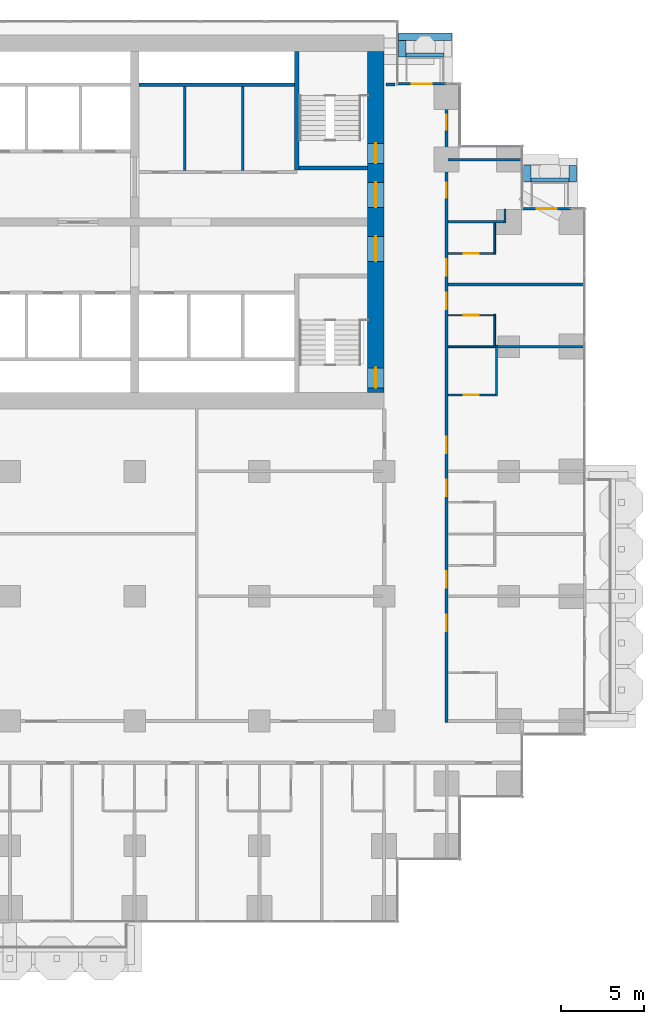
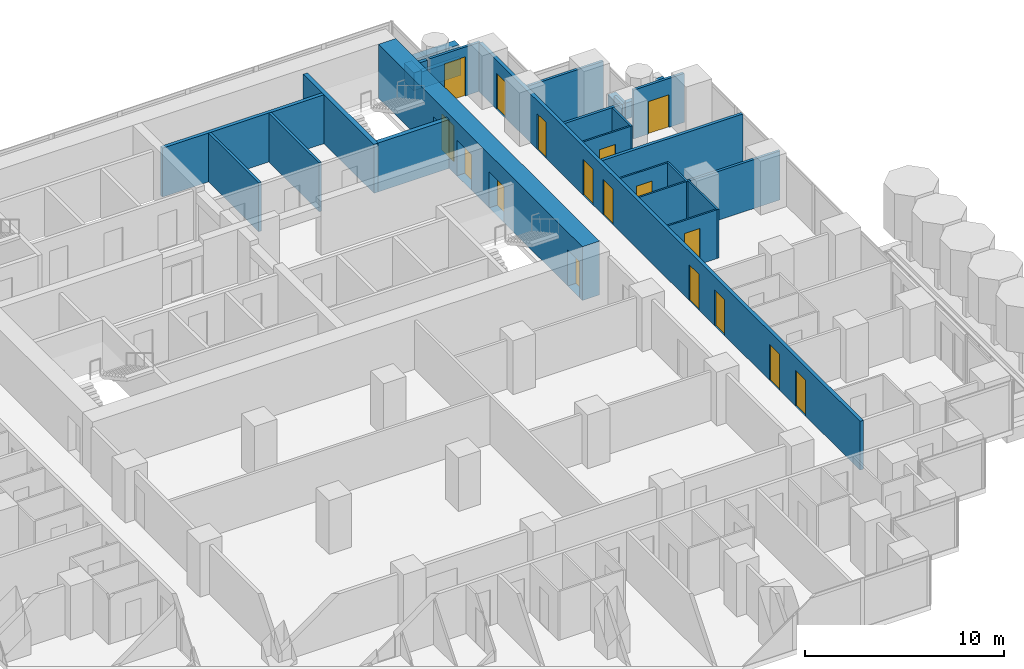
# One storey, part 15 of 19: 28 walls, 17 doors, 17 openings.
"""IFC4 building model written with IfcOpenShell, lengths in metres."""

from ifc_helpers import new_model, si_unit, direction, frame, frame_2d, origin, place, context, subcontext, project, spatial, rectangle, extrude, material, layer, layer_set, type_object, element, fill, save


model = new_model("IFC4")

# Units and contexts
model_context = context("Model", 3, precision=1e-05, world=origin(), true_north=direction((0.0, 1.0)))
body_context = subcontext(model_context, "Body", "Model", "MODEL_VIEW")
ifc_project = project(units=[si_unit("LENGTHUNIT", "METRE"), si_unit("AREAUNIT", "SQUARE_METRE"), si_unit("VOLUMEUNIT", "CUBIC_METRE"), si_unit("PLANEANGLEUNIT", "RADIAN"), si_unit("MASSUNIT", "GRAM", prefix="KILO")], contexts=[model_context])

# Site, building, storey
site_placement = place(None, origin())
site = spatial("IfcSite", under=ifc_project, at=site_placement, CompositionType="ELEMENT")
building_placement = place(site_placement, origin())
building = spatial("IfcBuilding", under=site, at=building_placement, Name="Pilkhan Gate Tower", CompositionType="ELEMENT")
storey_placement = place(building_placement, frame((0.0, 0.0, 62.60009765625)))
storey = spatial("IfcBuildingStorey", under=building, at=storey_placement, Name="L13", CompositionType="ELEMENT", Elevation=62.60009765625)

# Walls
ifc_material_1 = material(Name="Dense blockwork", Category="masonry")
ifc_layer_1 = layer(ifc_material_1, 0.175048828125)
ifc_layer_set_1 = layer_set([ifc_layer_1], Name="Acoustic party wall PW175")
wall_type_1 = type_object("IfcWallType", Name="Acoustic party wall PW175", PredefinedType="PARTITIONING", material=ifc_layer_set_1)
wall_1_placement = place(storey_placement, frame((93.85009765625, 78.75, 0.0), z_axis=(0.0, 0.0, 1.0), x_axis=(1.0, 0.0, 0.0)))
element("IfcWall", 1, at=wall_1_placement, inside=storey, type_object=wall_type_1, Name="Partition L13", PredefinedType="PARTITIONING", context=body_context, shape_type="SweptSolid", body=[
    extrude(rectangle(XDim=8.164794921875, YDim=0.175048828125, at=frame_2d((4.08251953125, 0.0))), origin(), (0.0, 0.0, 1.0), 3.0),
])
ifc_material_2 = material(Name="Concrete C40/50", Category="concrete")
ifc_layer_2 = layer(ifc_material_2, 0.25)
ifc_layer_set_2 = layer_set([ifc_layer_2], Name="Balcony planter BP250")
wall_type_2 = type_object("IfcWallType", Name="Balcony planter BP250", PredefinedType="USERDEFINED", material=ifc_layer_set_2)
wall_2_placement = place(storey_placement, frame((91.300048828125, 92.52490234375, 0.0), z_axis=(0.0, 0.0, 1.0), x_axis=(1.0, 0.0, 0.0)))
element("IfcWall", 2, at=wall_2_placement, inside=storey, type_object=wall_type_2, Name="Balcony planter L13 N", ObjectType="BALCONY PLANTER", PredefinedType="USERDEFINED", context=body_context, shape_type="SweptSolid", body=[
    extrude(rectangle(XDim=2.300048828125, YDim=0.25, at=frame_2d((1.14990234375, 0.0))), origin(), (0.0, 0.0, 1.0), 1.0),
])
wall_3_placement = place(storey_placement, frame((98.820068359375, 85.02490234375, 0.0), z_axis=(0.0, 0.0, 1.0), x_axis=(1.0, 0.0, 0.0)))
element("IfcWall", 3, at=wall_3_placement, inside=storey, type_object=wall_type_2, Name="Balcony planter L13 N", ObjectType="BALCONY PLANTER", PredefinedType="USERDEFINED", context=body_context, shape_type="SweptSolid", body=[
    extrude(rectangle(XDim=2.280029296875, YDim=0.25, at=frame_2d((1.14013671875, 0.0))), origin(), (0.0, 0.0, 1.0), 1.0),
])
ifc_material_3 = material(Name="Board-marked Concrete C40/50", Category="concrete")
ifc_layer_3 = layer(ifc_material_3, 0.449951171875)
ifc_layer_set_3 = layer_set([ifc_layer_3], Name="Balcony planter lip BL450")
wall_type_3 = type_object("IfcWallType", Name="Balcony planter lip BL450", PredefinedType="USERDEFINED", material=ifc_layer_set_3)
wall_4_placement = place(storey_placement, frame((90.85009765625, 93.625, 0.0), z_axis=(0.0, 0.0, 1.0), x_axis=(1.0, 0.0, 0.0)))
element("IfcWall", 4, at=wall_4_placement, inside=storey, type_object=wall_type_3, Name="Balcony planter L13 N", ObjectType="BALCONY PLANTER", PredefinedType="USERDEFINED", context=body_context, shape_type="SweptSolid", body=[
    extrude(rectangle(XDim=3.199951171875, YDim=0.449951171875, at=frame_2d((1.60009765625, 0.0))), origin(), (0.0, 0.0, 1.0), 1.099853515625),
])
for number, where, z_axis, x_axis, name in (
    (5, (91.074951171875, 92.39990234375, 0.0), (0.0, 0.0, 1.0), (0.0, 1.0, 0.0), "Balcony planter L13 N"),
    (6, (98.594970703125, 84.89990234375, 0.0), (0.0, 0.0, 1.0), (0.0, 1.0, 0.0), "Balcony planter L13 N"),
    (7, (101.324951171875, 84.89990234375, 0.0), (0.0, 0.0, 1.0), (0.0, 1.0, 0.0), "Balcony planter L13 N"),
):
    element("IfcWall", number, at=place(storey_placement, frame(where, z_axis=z_axis, x_axis=x_axis)), inside=storey, type_object=wall_type_3, Name=name, ObjectType="BALCONY PLANTER", PredefinedType="USERDEFINED", context=body_context, shape_type="SweptSolid", body=[
        extrude(rectangle(XDim=1.0, YDim=0.449951171875, at=frame_2d((0.5, 0.0))), origin(), (0.0, 0.0, 1.0), 1.099853515625),
    ])

# Wall, openings, doors
ifc_material_4 = material(Name="Concrete C70/85", Category="concrete")
ifc_layer_4 = layer(ifc_material_4, 1.0)
ifc_layer_set_4 = layer_set([ifc_layer_4], Name="Core wall CW1000 C70/85")
wall_type_4 = type_object("IfcWallType", Name="Core wall CW1000 C70/85", PredefinedType="SHEAR", material=ifc_layer_set_4)
wall_5_placement = place(storey_placement, frame((89.5, 72.25, 0.0), z_axis=(0.0, 0.0, 1.0), x_axis=(0.0, 1.0, 0.0)))
wall_5 = element("IfcWall", 8, at=wall_5_placement, inside=storey, type_object=wall_type_4, Name="Core wall E L13", PredefinedType="SHEAR", context=body_context, shape_type="SweptSolid", body=[
    extrude(rectangle(XDim=20.5, YDim=1.0, at=frame_2d((10.25, 0.0))), origin(), (0.0, 0.0, 1.0), 3.2998046875),
])
opening_1_placement = place(wall_5_placement, frame((0.27490234375, 0.0, 0.0)))
opening_1 = element("IfcOpeningElement", 9, at=opening_1_placement, cuts=wall_5, Name="Opening L13-03", PredefinedType="OPENING", context=body_context, shape_type="SweptSolid", body=[
    extrude(rectangle(XDim=1.199951171875, YDim=2.199951171875, at=frame_2d((0.60009765625, 1.10009765625))), frame((0.0, 0.510009765625, 0.0), z_axis=(0.0, -1.0, 0.0), x_axis=(1.0, 0.0, 0.0)), (0.0, 0.0, 1.0), 1.02001953125),
])
opening_2_placement = place(wall_5_placement, frame((13.77490234375, 0.0, 0.0)))
opening_2 = element("IfcOpeningElement", 10, at=opening_2_placement, cuts=wall_5, Name="Opening L13-05", PredefinedType="OPENING", context=body_context, shape_type="SweptSolid", body=[
    extrude(rectangle(XDim=1.199951171875, YDim=2.199951171875, at=frame_2d((0.60009765625, 1.10009765625))), frame((0.0, 0.510009765625, 0.0), z_axis=(0.0, -1.0, 0.0), x_axis=(1.0, 0.0, 0.0)), (0.0, 0.0, 1.0), 1.02001953125),
])
opening_3_placement = place(wall_5_placement, frame((7.875, 0.0, 0.0)))
opening_3 = element("IfcOpeningElement", 11, at=opening_3_placement, cuts=wall_5, Name="Opening L13-54", PredefinedType="OPENING", context=body_context, shape_type="SweptSolid", body=[
    extrude(rectangle(XDim=1.5, YDim=2.199951171875, at=frame_2d((0.75, 1.10009765625))), frame((0.0, 0.510009765625, 0.0), z_axis=(0.0, -1.0, 0.0), x_axis=(1.0, 0.0, 0.0)), (0.0, 0.0, 1.0), 1.02001953125),
])
opening_4_placement = place(wall_5_placement, frame((11.125, 0.0, 0.0)))
opening_4 = element("IfcOpeningElement", 12, at=opening_4_placement, cuts=wall_5, Name="Opening L13-56", PredefinedType="OPENING", context=body_context, shape_type="SweptSolid", body=[
    extrude(rectangle(XDim=1.5, YDim=2.199951171875, at=frame_2d((0.75, 1.10009765625))), frame((0.0, 0.510009765625, 0.0), z_axis=(0.0, -1.0, 0.0), x_axis=(1.0, 0.0, 0.0)), (0.0, 0.0, 1.0), 1.02001953125),
])
ifc_material_5 = material(Name="Steel framed glazed door, 60 minute fire resisting", Category="steel")
door_type_1 = type_object("IfcDoorType", Name="Lobby door D09 1500x2200", OperationType="DOUBLE_DOOR_SINGLE_SWING", PredefinedType="DOOR", material=ifc_material_5)
door_1_placement = place(opening_3_placement, origin())
door_1 = element("IfcDoor", 13, at=door_1_placement, inside=storey, type_object=door_type_1, Name="Core door", OperationType="DOUBLE_DOOR_SINGLE_SWING", OverallHeight=2.199951171875, OverallWidth=1.5, PredefinedType="DOOR", context=body_context, shape_type="SweptSolid", body=[
    extrude(rectangle(XDim=1.5, YDim=2.199951171875, at=frame_2d((0.75, 1.10009765625))), frame((0.0, 0.02490234375, 0.0), z_axis=(0.0, -1.0, 0.0), x_axis=(1.0, 0.0, 0.0)), (0.0, 0.0, 1.0), 0.050048828125),
])
fill(opening_3, door_1)
door_2_placement = place(opening_4_placement, origin())
door_2 = element("IfcDoor", 14, at=door_2_placement, inside=storey, type_object=door_type_1, Name="Core door", OperationType="DOUBLE_DOOR_SINGLE_SWING", OverallHeight=2.199951171875, OverallWidth=1.5, PredefinedType="DOOR", context=body_context, shape_type="SweptSolid", body=[
    extrude(rectangle(XDim=1.5, YDim=2.199951171875, at=frame_2d((0.75, 1.10009765625))), frame((0.0, 0.02490234375, 0.0), z_axis=(0.0, -1.0, 0.0), x_axis=(1.0, 0.0, 0.0)), (0.0, 0.0, 1.0), 0.050048828125),
])
fill(opening_4, door_2)
ifc_material_6 = material(Name="Steel door, 120 minute fire resisting, panic bar", Category="steel")
door_type_2 = type_object("IfcDoorType", Name="Stair door D11 1200x2200", OperationType="SINGLE_SWING_LEFT", PredefinedType="DOOR", material=ifc_material_6)
door_3_placement = place(opening_1_placement, origin())
door_3 = element("IfcDoor", 15, at=door_3_placement, inside=storey, type_object=door_type_2, Name="Stair ST1 door", OperationType="SINGLE_SWING_LEFT", OverallHeight=2.199951171875, OverallWidth=1.199951171875, PredefinedType="DOOR", context=body_context, shape_type="SweptSolid", body=[
    extrude(rectangle(XDim=1.199951171875, YDim=2.199951171875, at=frame_2d((0.60009765625, 1.10009765625))), frame((0.0, 0.02490234375, 0.0), z_axis=(0.0, -1.0, 0.0), x_axis=(1.0, 0.0, 0.0)), (0.0, 0.0, 1.0), 0.050048828125),
])
fill(opening_1, door_3)
door_4_placement = place(opening_2_placement, origin())
door_4 = element("IfcDoor", 16, at=door_4_placement, inside=storey, type_object=door_type_2, Name="Stair ST4 door", OperationType="SINGLE_SWING_LEFT", OverallHeight=2.199951171875, OverallWidth=1.199951171875, PredefinedType="DOOR", context=body_context, shape_type="SweptSolid", body=[
    extrude(rectangle(XDim=1.199951171875, YDim=2.199951171875, at=frame_2d((0.60009765625, 1.10009765625))), frame((0.0, 0.02490234375, 0.0), z_axis=(0.0, -1.0, 0.0), x_axis=(1.0, 0.0, 0.0)), (0.0, 0.0, 1.0), 0.050048828125),
])
fill(opening_2, door_4)

# Wall
ifc_layer_5 = layer(ifc_material_1, 0.199951171875)
ifc_layer_set_5 = layer_set([ifc_layer_5], Name="Corridor wall FW200")
wall_type_5 = type_object("IfcWallType", Name="Corridor wall FW200", PredefinedType="PARTITIONING", material=ifc_layer_set_5)
wall_6_placement = place(storey_placement, frame((90.1201171875, 90.764892578125, 0.0), z_axis=(0.0, 0.0, 1.0), x_axis=(1.0, 0.0, 0.0)))
element("IfcWall", 17, at=wall_6_placement, inside=storey, type_object=wall_type_5, Name="Partition L13", PredefinedType="PARTITIONING", context=body_context, shape_type="SweptSolid", body=[
    extrude(rectangle(XDim=0.52490234375, YDim=0.199951171875, at=frame_2d((0.262451171875, 0.0))), origin(), (0.0, 0.0, 1.0), 3.0),
])

# Wall, openings, doors
wall_7_placement = place(storey_placement, frame((93.75, 52.39990234375, 0.0), z_axis=(0.0, 0.0, 1.0), x_axis=(0.0, 1.0, 0.0)))
wall_7 = element("IfcWall", 18, at=wall_7_placement, inside=storey, type_object=wall_type_5, Name="Partition L13", PredefinedType="PARTITIONING", context=body_context, shape_type="SweptSolid", body=[
    extrude(rectangle(XDim=38.31005859375, YDim=0.199951171875, at=frame_2d((19.155029296875, 0.0))), origin(), (0.0, 0.0, 1.0), 3.0),
])
opening_5_placement = place(wall_7_placement, frame((5.5, 0.0, 0.0)))
opening_5 = element("IfcOpeningElement", 19, at=opening_5_placement, cuts=wall_7, Name="Opening L13-42", PredefinedType="OPENING", context=body_context, shape_type="SweptSolid", body=[
    extrude(rectangle(XDim=1.0, YDim=2.199951171875, at=frame_2d((0.5, 1.10009765625))), frame((0.0, 0.10986328125, 0.0), z_axis=(0.0, -1.0, 0.0), x_axis=(1.0, 0.0, 0.0)), (0.0, 0.0, 1.0), 0.219970703125),
])
opening_6_placement = place(wall_7_placement, frame((8.10009765625, 0.0, 0.0)))
opening_6 = element("IfcOpeningElement", 20, at=opening_6_placement, cuts=wall_7, Name="Opening L13-44", PredefinedType="OPENING", context=body_context, shape_type="SweptSolid", body=[
    extrude(rectangle(XDim=1.0, YDim=2.199951171875, at=frame_2d((0.5, 1.10009765625))), frame((0.0, 0.10986328125, 0.0), z_axis=(0.0, -1.0, 0.0), x_axis=(1.0, 0.0, 0.0)), (0.0, 0.0, 1.0), 0.219970703125),
])
opening_7_placement = place(wall_7_placement, frame((13.60009765625, 0.0, 0.0)))
opening_7 = element("IfcOpeningElement", 21, at=opening_7_placement, cuts=wall_7, Name="Opening L13-46", PredefinedType="OPENING", context=body_context, shape_type="SweptSolid", body=[
    extrude(rectangle(XDim=1.0, YDim=2.199951171875, at=frame_2d((0.5, 1.10009765625))), frame((0.0, 0.10986328125, 0.0), z_axis=(0.0, -1.0, 0.0), x_axis=(1.0, 0.0, 0.0)), (0.0, 0.0, 1.0), 0.219970703125),
])
opening_8_placement = place(wall_7_placement, frame((16.199951171875, 0.0, 0.0)))
opening_8 = element("IfcOpeningElement", 22, at=opening_8_placement, cuts=wall_7, Name="Opening L13-48", PredefinedType="OPENING", context=body_context, shape_type="SweptSolid", body=[
    extrude(rectangle(XDim=1.0, YDim=2.199951171875, at=frame_2d((0.5, 1.10009765625))), frame((0.0, 0.10986328125, 0.0), z_axis=(0.0, -1.0, 0.0), x_axis=(1.0, 0.0, 0.0)), (0.0, 0.0, 1.0), 0.219970703125),
])
opening_9_placement = place(wall_7_placement, frame((24.85009765625, 0.0, 0.0)))
opening_9 = element("IfcOpeningElement", 23, at=opening_9_placement, cuts=wall_7, Name="Opening L13-50", PredefinedType="OPENING", context=body_context, shape_type="SweptSolid", body=[
    extrude(rectangle(XDim=1.0, YDim=2.199951171875, at=frame_2d((0.5, 1.10009765625))), frame((0.0, 0.10986328125, 0.0), z_axis=(0.0, -1.0, 0.0), x_axis=(1.0, 0.0, 0.0)), (0.0, 0.0, 1.0), 0.219970703125),
])
opening_10_placement = place(wall_7_placement, frame((26.85009765625, 0.0, 0.0)))
opening_10 = element("IfcOpeningElement", 24, at=opening_10_placement, cuts=wall_7, Name="Opening L13-52", PredefinedType="OPENING", context=body_context, shape_type="SweptSolid", body=[
    extrude(rectangle(XDim=1.0, YDim=2.199951171875, at=frame_2d((0.5, 1.10009765625))), frame((0.0, 0.10986328125, 0.0), z_axis=(0.0, -1.0, 0.0), x_axis=(1.0, 0.0, 0.0)), (0.0, 0.0, 1.0), 0.219970703125),
])
opening_11_placement = place(wall_7_placement, frame((31.550048828125, 0.0, 0.0)))
opening_11 = element("IfcOpeningElement", 25, at=opening_11_placement, cuts=wall_7, Name="Opening L13-63", PredefinedType="OPENING", context=body_context, shape_type="SweptSolid", body=[
    extrude(rectangle(XDim=0.89990234375, YDim=2.199951171875, at=frame_2d((0.449951171875, 1.10009765625))), frame((0.0, 0.10986328125, 0.0), z_axis=(0.0, -1.0, 0.0), x_axis=(1.0, 0.0, 0.0)), (0.0, 0.0, 1.0), 0.219970703125),
])
opening_12_placement = place(wall_7_placement, frame((35.64990234375, 0.0, 0.0)))
opening_12 = element("IfcOpeningElement", 26, at=opening_12_placement, cuts=wall_7, Name="Opening L13-64", PredefinedType="OPENING", context=body_context, shape_type="SweptSolid", body=[
    extrude(rectangle(XDim=0.89990234375, YDim=2.199951171875, at=frame_2d((0.449951171875, 1.10009765625))), frame((0.0, 0.10986328125, 0.0), z_axis=(0.0, -1.0, 0.0), x_axis=(1.0, 0.0, 0.0)), (0.0, 0.0, 1.0), 0.219970703125),
])
ifc_material_7 = material(Name="Timber flush door, 30 minute fire resisting", Category="wood")
door_type_3 = type_object("IfcDoorType", Name="Guest room door D01 1000x2200", OperationType="SINGLE_SWING_LEFT", PredefinedType="DOOR", material=ifc_material_7)
door_5_placement = place(opening_5_placement, origin())
door_5 = element("IfcDoor", 27, at=door_5_placement, inside=storey, type_object=door_type_3, Name="Guest room door", OperationType="SINGLE_SWING_LEFT", OverallHeight=2.199951171875, OverallWidth=1.0, PredefinedType="DOOR", context=body_context, shape_type="SweptSolid", body=[
    extrude(rectangle(XDim=1.0, YDim=2.199951171875, at=frame_2d((0.5, 1.10009765625))), frame((0.0, 0.02490234375, 0.0), z_axis=(0.0, -1.0, 0.0), x_axis=(1.0, 0.0, 0.0)), (0.0, 0.0, 1.0), 0.050048828125),
])
fill(opening_5, door_5)
door_6_placement = place(opening_6_placement, origin())
door_6 = element("IfcDoor", 28, at=door_6_placement, inside=storey, type_object=door_type_3, Name="Guest room door", OperationType="SINGLE_SWING_LEFT", OverallHeight=2.199951171875, OverallWidth=1.0, PredefinedType="DOOR", context=body_context, shape_type="SweptSolid", body=[
    extrude(rectangle(XDim=1.0, YDim=2.199951171875, at=frame_2d((0.5, 1.10009765625))), frame((0.0, 0.02490234375, 0.0), z_axis=(0.0, -1.0, 0.0), x_axis=(1.0, 0.0, 0.0)), (0.0, 0.0, 1.0), 0.050048828125),
])
fill(opening_6, door_6)
door_7_placement = place(opening_7_placement, origin())
door_7 = element("IfcDoor", 29, at=door_7_placement, inside=storey, type_object=door_type_3, Name="Guest room door", OperationType="SINGLE_SWING_LEFT", OverallHeight=2.199951171875, OverallWidth=1.0, PredefinedType="DOOR", context=body_context, shape_type="SweptSolid", body=[
    extrude(rectangle(XDim=1.0, YDim=2.199951171875, at=frame_2d((0.5, 1.10009765625))), frame((0.0, 0.02490234375, 0.0), z_axis=(0.0, -1.0, 0.0), x_axis=(1.0, 0.0, 0.0)), (0.0, 0.0, 1.0), 0.050048828125),
])
fill(opening_7, door_7)
door_8_placement = place(opening_8_placement, origin())
door_8 = element("IfcDoor", 30, at=door_8_placement, inside=storey, type_object=door_type_3, Name="Guest room door", OperationType="SINGLE_SWING_LEFT", OverallHeight=2.199951171875, OverallWidth=1.0, PredefinedType="DOOR", context=body_context, shape_type="SweptSolid", body=[
    extrude(rectangle(XDim=1.0, YDim=2.199951171875, at=frame_2d((0.5, 1.10009765625))), frame((0.0, 0.02490234375, 0.0), z_axis=(0.0, -1.0, 0.0), x_axis=(1.0, 0.0, 0.0)), (0.0, 0.0, 1.0), 0.050048828125),
])
fill(opening_8, door_8)
door_9_placement = place(opening_9_placement, origin())
door_9 = element("IfcDoor", 31, at=door_9_placement, inside=storey, type_object=door_type_3, Name="Guest room door", OperationType="SINGLE_SWING_LEFT", OverallHeight=2.199951171875, OverallWidth=1.0, PredefinedType="DOOR", context=body_context, shape_type="SweptSolid", body=[
    extrude(rectangle(XDim=1.0, YDim=2.199951171875, at=frame_2d((0.5, 1.10009765625))), frame((0.0, 0.02490234375, 0.0), z_axis=(0.0, -1.0, 0.0), x_axis=(1.0, 0.0, 0.0)), (0.0, 0.0, 1.0), 0.050048828125),
])
fill(opening_9, door_9)
door_10_placement = place(opening_10_placement, origin())
door_10 = element("IfcDoor", 32, at=door_10_placement, inside=storey, type_object=door_type_3, Name="Guest room door", OperationType="SINGLE_SWING_RIGHT", OverallHeight=2.199951171875, OverallWidth=1.0, PredefinedType="DOOR", context=body_context, shape_type="SweptSolid", body=[
    extrude(rectangle(XDim=1.0, YDim=2.199951171875, at=frame_2d((0.5, 1.10009765625))), frame((0.0, 0.02490234375, 0.0), z_axis=(0.0, -1.0, 0.0), x_axis=(1.0, 0.0, 0.0)), (0.0, 0.0, 1.0), 0.050048828125),
])
fill(opening_10, door_10)
ifc_material_8 = material(Name="Timber flush door, 60 minute fire resisting, self-closing", Category="wood")
door_type_4 = type_object("IfcDoorType", Name="Store door D05 900x2200", OperationType="SINGLE_SWING_LEFT", PredefinedType="DOOR", material=ifc_material_8)
door_11_placement = place(opening_11_placement, origin())
door_11 = element("IfcDoor", 33, at=door_11_placement, inside=storey, type_object=door_type_4, Name="Store door", OperationType="SINGLE_SWING_LEFT", OverallHeight=2.199951171875, OverallWidth=0.89990234375, PredefinedType="DOOR", context=body_context, shape_type="SweptSolid", body=[
    extrude(rectangle(XDim=0.89990234375, YDim=2.199951171875, at=frame_2d((0.449951171875, 1.10009765625))), frame((0.0, 0.02490234375, 0.0), z_axis=(0.0, -1.0, 0.0), x_axis=(1.0, 0.0, 0.0)), (0.0, 0.0, 1.0), 0.050048828125),
])
fill(opening_11, door_11)
door_12_placement = place(opening_12_placement, origin())
door_12 = element("IfcDoor", 34, at=door_12_placement, inside=storey, type_object=door_type_4, Name="Store door", OperationType="SINGLE_SWING_LEFT", OverallHeight=2.199951171875, OverallWidth=0.89990234375, PredefinedType="DOOR", context=body_context, shape_type="SweptSolid", body=[
    extrude(rectangle(XDim=0.89990234375, YDim=2.199951171875, at=frame_2d((0.449951171875, 1.10009765625))), frame((0.0, 0.02490234375, 0.0), z_axis=(0.0, -1.0, 0.0), x_axis=(1.0, 0.0, 0.0)), (0.0, 0.0, 1.0), 0.050048828125),
])
fill(opening_12, door_12)

# Wall, opening, door
ifc_material_9 = material(Name="Pale anodised aluminium, clear laminated glazing", Category="aluminium")
ifc_layer_6 = layer(ifc_material_9, 0.14990234375)
ifc_layer_set_6 = layer_set([ifc_layer_6], Name="Facade infill wall IW150")
wall_type_6 = type_object("IfcWallType", Name="Facade infill wall IW150", PredefinedType="SOLIDWALL", material=ifc_layer_set_6)
wall_8_placement = place(storey_placement, frame((98.294921875, 83.294921875, 0.0), z_axis=(0.0, 0.0, 1.0), x_axis=(1.0, 0.0, 0.0)))
wall_8 = element("IfcWall", 35, at=wall_8_placement, inside=storey, type_object=wall_type_6, Name="Infill wall L13 N", PredefinedType="SOLIDWALL", context=body_context, shape_type="SweptSolid", body=[
    extrude(rectangle(XDim=2.955078125, YDim=0.14990234375, at=frame_2d((1.4775390625, 0.0))), origin(), (0.0, 0.0, 1.0), 3.0),
])
opening_13_placement = place(wall_8_placement, frame((0.87744140625, 0.0, 0.0)))
opening_13 = element("IfcOpeningElement", 36, at=opening_13_placement, cuts=wall_8, Name="Opening D1L", PredefinedType="OPENING", context=body_context, shape_type="SweptSolid", body=[
    extrude(rectangle(XDim=1.199951171875, YDim=2.0, at=frame_2d((0.60009765625, 1.0))), frame((0.0, 0.0849609375, 0.0), z_axis=(0.0, -1.0, 0.0), x_axis=(1.0, 0.0, 0.0)), (0.0, 0.0, 1.0), 0.169921875),
])
ifc_material_10 = material(Name="Pale anodised aluminium, clear glazing", Category="aluminium")
door_type_5 = type_object("IfcDoorType", Name="Balcony door D1L 1200x2000", OperationType="SINGLE_SWING_LEFT", PredefinedType="DOOR", material=ifc_material_10)
door_13_placement = place(opening_13_placement, origin())
door_13 = element("IfcDoor", 37, at=door_13_placement, inside=storey, type_object=door_type_5, Name="Balcony door L13", OperationType="SINGLE_SWING_LEFT", OverallHeight=2.0, OverallWidth=1.199951171875, PredefinedType="DOOR", context=body_context, shape_type="SweptSolid", body=[
    extrude(rectangle(XDim=1.199951171875, YDim=2.0, at=frame_2d((0.60009765625, 1.0))), frame((0.0, 0.02490234375, 0.0), z_axis=(0.0, -1.0, 0.0), x_axis=(1.0, 0.0, 0.0)), (0.0, 0.0, 1.0), 0.050048828125),
])
fill(opening_13, door_13)

wall_9_placement = place(storey_placement, frame((90.794921875, 90.794921875, 0.0), z_axis=(0.0, 0.0, 1.0), x_axis=(1.0, 0.0, 0.0)))
wall_9 = element("IfcWall", 38, at=wall_9_placement, inside=storey, type_object=wall_type_6, Name="Infill wall L13 N", PredefinedType="SOLIDWALL", context=body_context, shape_type="SweptSolid", body=[
    extrude(rectangle(XDim=2.955078125, YDim=0.14990234375, at=frame_2d((1.4775390625, 0.0))), origin(), (0.0, 0.0, 1.0), 3.0),
])
opening_14_placement = place(wall_9_placement, frame((0.87744140625, 0.0, 0.0)))
opening_14 = element("IfcOpeningElement", 39, at=opening_14_placement, cuts=wall_9, Name="Opening D1", PredefinedType="OPENING", context=body_context, shape_type="SweptSolid", body=[
    extrude(rectangle(XDim=1.199951171875, YDim=2.39990234375, at=frame_2d((0.60009765625, 1.199951171875))), frame((0.0, 0.0849609375, 0.0), z_axis=(0.0, -1.0, 0.0), x_axis=(1.0, 0.0, 0.0)), (0.0, 0.0, 1.0), 0.169921875),
])
door_type_6 = type_object("IfcDoorType", Name="Balcony door D1 1200x2400", OperationType="SINGLE_SWING_LEFT", PredefinedType="DOOR", material=ifc_material_10)
door_14_placement = place(opening_14_placement, origin())
door_14 = element("IfcDoor", 40, at=door_14_placement, inside=storey, type_object=door_type_6, Name="Balcony door L13", OperationType="SINGLE_SWING_LEFT", OverallHeight=2.39990234375, OverallWidth=1.199951171875, PredefinedType="DOOR", context=body_context, shape_type="SweptSolid", body=[
    extrude(rectangle(XDim=1.199951171875, YDim=2.39990234375, at=frame_2d((0.60009765625, 1.199951171875))), frame((0.0, 0.02490234375, 0.0), z_axis=(0.0, -1.0, 0.0), x_axis=(1.0, 0.0, 0.0)), (0.0, 0.0, 1.0), 0.050048828125),
])
fill(opening_14, door_14)

# Walls
ifc_layer_7 = layer(ifc_material_1, 0.199951171875)
ifc_layer_set_7 = layer_set([ifc_layer_7], Name="Lobby wall LW200")
wall_type_7 = type_object("IfcWallType", Name="Lobby wall LW200", PredefinedType="PARTITIONING", material=ifc_layer_set_7)
wall_10_placement = place(storey_placement, frame((75.260009765625, 90.75, 0.0), z_axis=(0.0, 0.0, 1.0), x_axis=(1.0, 0.0, 0.0)))
element("IfcWall", 41, at=wall_10_placement, inside=storey, type_object=wall_type_7, Name="Partition L13", PredefinedType="PARTITIONING", context=body_context, shape_type="SweptSolid", body=[
    extrude(rectangle(XDim=9.364990234375, YDim=0.199951171875, at=frame_2d((4.6826171875, 0.0))), origin(), (0.0, 0.0, 1.0), 3.0),
])
ifc_material_11 = material(Name="Blockwork partition, plastered both sides", Category="masonry")
ifc_layer_8 = layer(ifc_material_11, 0.14990234375)
ifc_layer_set_8 = layer_set([ifc_layer_8], Name="Partition PW150")
wall_type_8 = type_object("IfcWallType", Name="Partition PW150", PredefinedType="PARTITIONING", material=ifc_layer_set_8)
wall_11_placement = place(storey_placement, frame((96.800048828125, 75.0, 0.0), z_axis=(0.0, 0.0, 1.0), x_axis=(1.0, 0.0, 0.0)))
element("IfcWall", 42, at=wall_11_placement, inside=storey, type_object=wall_type_8, Name="Partition L13", PredefinedType="PARTITIONING", context=body_context, shape_type="SweptSolid", body=[
    extrude(rectangle(XDim=5.21484375, YDim=0.14990234375, at=frame_2d((2.607421875, 0.0))), origin(), (0.0, 0.0, 1.0), 3.0),
])
wall_12_placement = place(storey_placement, frame((93.85009765625, 82.5, 0.0), z_axis=(0.0, 0.0, 1.0), x_axis=(1.0, 0.0, 0.0)))
element("IfcWall", 43, at=wall_12_placement, inside=storey, type_object=wall_type_8, Name="Partition L13", PredefinedType="PARTITIONING", context=body_context, shape_type="SweptSolid", body=[
    extrude(rectangle(XDim=3.33984375, YDim=0.14990234375, at=frame_2d((1.669921875, 0.0))), origin(), (0.0, 0.0, 1.0), 3.0),
])
wall_13_placement = place(storey_placement, frame((93.85009765625, 86.25, 0.0), z_axis=(0.0, 0.0, 1.0), x_axis=(1.0, 0.0, 0.0)))
element("IfcWall", 44, at=wall_13_placement, inside=storey, type_object=wall_type_8, Name="Partition L13", PredefinedType="PARTITIONING", context=body_context, shape_type="SweptSolid", body=[
    extrude(rectangle(XDim=4.414794921875, YDim=0.14990234375, at=frame_2d((2.20751953125, 0.0))), origin(), (0.0, 0.0, 1.0), 3.0),
])
for number, where, z_axis, x_axis, name in (
    (45, (78.0, 85.60009765625, 0.0), (0.0, 0.0, 1.0), (0.0, 1.0, 0.0), "Partition L13"),
    (46, (81.5, 85.60009765625, 0.0), (0.0, 0.0, 1.0), (0.0, 1.0, 0.0), "Partition L13"),
):
    element("IfcWall", number, at=place(storey_placement, frame(where, z_axis=z_axis, x_axis=x_axis)), inside=storey, type_object=wall_type_8, Name=name, PredefinedType="PARTITIONING", context=body_context, shape_type="SweptSolid", body=[
        extrude(rectangle(XDim=5.0498046875, YDim=0.14990234375, at=frame_2d((2.52490234375, 0.0))), origin(), (0.0, 0.0, 1.0), 3.0),
    ])
wall_14_placement = place(storey_placement, frame((97.264892578125, 82.425048828125, 0.0), z_axis=(0.0, 0.0, 1.0), x_axis=(0.0, 1.0, 0.0)))
element("IfcWall", 47, at=wall_14_placement, inside=storey, type_object=wall_type_8, Name="Partition L13", PredefinedType="PARTITIONING", context=body_context, shape_type="SweptSolid", body=[
    extrude(rectangle(XDim=0.83984375, YDim=0.14990234375, at=frame_2d((0.419921875, 0.0))), origin(), (0.0, 0.0, 1.0), 3.0),
])
ifc_material_12 = material(Name="Reinforced blockwork, 120 minute fire resisting", Category="masonry")
ifc_layer_9 = layer(ifc_material_12, 0.25)
ifc_layer_set_9 = layer_set([ifc_layer_9], Name="Stair enclosure wall SE250")
wall_type_9 = type_object("IfcWallType", Name="Stair enclosure wall SE250", PredefinedType="PARTITIONING", material=ifc_layer_set_9)
wall_15_placement = place(storey_placement, frame((84.875, 85.75, 0.0), z_axis=(0.0, 0.0, 1.0), x_axis=(1.0, 0.0, 0.0)))
element("IfcWall", 48, at=wall_15_placement, inside=storey, type_object=wall_type_9, Name="Partition L13", PredefinedType="PARTITIONING", context=body_context, shape_type="SweptSolid", body=[
    extrude(rectangle(XDim=4.114990234375, YDim=0.25, at=frame_2d((2.0576171875, 0.0))), origin(), (0.0, 0.0, 1.0), 3.0),
])
wall_16_placement = place(storey_placement, frame((84.75, 85.625, 0.0), z_axis=(0.0, 0.0, 1.0), x_axis=(0.0, 1.0, 0.0)))
element("IfcWall", 49, at=wall_16_placement, inside=storey, type_object=wall_type_9, Name="Partition L13", PredefinedType="PARTITIONING", context=body_context, shape_type="SweptSolid", body=[
    extrude(rectangle(XDim=7.114990234375, YDim=0.25, at=frame_2d((3.5576171875, 0.0))), origin(), (0.0, 0.0, 1.0), 3.0),
])

# Wall, opening, door
ifc_material_13 = material(Name="Moisture resistant board, tiled")
ifc_layer_10 = layer(ifc_material_13, 0.10009765625)
ifc_layer_set_10 = layer_set([ifc_layer_10], Name="Wet wall PW100")
wall_type_10 = type_object("IfcWallType", Name="Wet wall PW100", PredefinedType="PARTITIONING", material=ifc_layer_set_10)
wall_17_placement = place(storey_placement, frame((93.85009765625, 72.10009765625, 0.0), z_axis=(0.0, 0.0, 1.0), x_axis=(1.0, 0.0, 0.0)))
wall_17 = element("IfcWall", 50, at=wall_17_placement, inside=storey, type_object=wall_type_10, Name="Partition L13", PredefinedType="PARTITIONING", context=body_context, shape_type="SweptSolid", body=[
    extrude(rectangle(XDim=2.849853515625, YDim=0.10009765625, at=frame_2d((1.4248046875, 0.0))), origin(), (0.0, 0.0, 1.0), 3.0),
])
opening_15_placement = place(wall_17_placement, frame((0.949951171875, 0.0, 0.0)))
opening_15 = element("IfcOpeningElement", 51, at=opening_15_placement, cuts=wall_17, Name="Opening L13-49", PredefinedType="OPENING", context=body_context, shape_type="SweptSolid", body=[
    extrude(rectangle(XDim=0.89990234375, YDim=2.199951171875, at=frame_2d((0.449951171875, 1.10009765625))), frame((0.0, 0.06005859375, 0.0), z_axis=(0.0, -1.0, 0.0), x_axis=(1.0, 0.0, 0.0)), (0.0, 0.0, 1.0), 0.1201171875),
])
ifc_material_14 = material(Name="Timber flush door", Category="wood")
door_type_7 = type_object("IfcDoorType", Name="Bathroom door D02 900x2200", OperationType="SINGLE_SWING_RIGHT", PredefinedType="DOOR", material=ifc_material_14)
door_15_placement = place(opening_15_placement, origin())
door_15 = element("IfcDoor", 52, at=door_15_placement, inside=storey, type_object=door_type_7, Name="Bathroom door", OperationType="SINGLE_SWING_RIGHT", OverallHeight=2.199951171875, OverallWidth=0.89990234375, PredefinedType="DOOR", context=body_context, shape_type="SweptSolid", body=[
    extrude(rectangle(XDim=0.89990234375, YDim=2.199951171875, at=frame_2d((0.449951171875, 1.10009765625))), frame((0.0, 0.02490234375, 0.0), z_axis=(0.0, -1.0, 0.0), x_axis=(1.0, 0.0, 0.0)), (0.0, 0.0, 1.0), 0.050048828125),
])
fill(opening_15, door_15)

# Wall
wall_18_placement = place(storey_placement, frame((93.85009765625, 75.0, 0.0), z_axis=(0.0, 0.0, 1.0), x_axis=(1.0, 0.0, 0.0)))
element("IfcWall", 53, at=wall_18_placement, inside=storey, type_object=wall_type_10, Name="Partition L13", PredefinedType="PARTITIONING", context=body_context, shape_type="SweptSolid", body=[
    extrude(rectangle(XDim=2.75, YDim=0.10009765625, at=frame_2d((1.375, 0.0))), origin(), (0.0, 0.0, 1.0), 3.0),
])

# Wall, opening, door
wall_19_placement = place(storey_placement, frame((93.85009765625, 76.89990234375, 0.0), z_axis=(0.0, 0.0, 1.0), x_axis=(1.0, 0.0, 0.0)))
wall_19 = element("IfcWall", 54, at=wall_19_placement, inside=storey, type_object=wall_type_10, Name="Partition L13", PredefinedType="PARTITIONING", context=body_context, shape_type="SweptSolid", body=[
    extrude(rectangle(XDim=2.75, YDim=0.10009765625, at=frame_2d((1.375, 0.0))), origin(), (0.0, 0.0, 1.0), 3.0),
])
opening_16_placement = place(wall_19_placement, frame((0.949951171875, 0.0, 0.0)))
opening_16 = element("IfcOpeningElement", 55, at=opening_16_placement, cuts=wall_19, Name="Opening L13-51", PredefinedType="OPENING", context=body_context, shape_type="SweptSolid", body=[
    extrude(rectangle(XDim=0.89990234375, YDim=2.199951171875, at=frame_2d((0.449951171875, 1.10009765625))), frame((0.0, 0.06005859375, 0.0), z_axis=(0.0, -1.0, 0.0), x_axis=(1.0, 0.0, 0.0)), (0.0, 0.0, 1.0), 0.1201171875),
])
door_16_placement = place(opening_16_placement, origin())
door_16 = element("IfcDoor", 56, at=door_16_placement, inside=storey, type_object=door_type_7, Name="Bathroom door", OperationType="SINGLE_SWING_RIGHT", OverallHeight=2.199951171875, OverallWidth=0.89990234375, PredefinedType="DOOR", context=body_context, shape_type="SweptSolid", body=[
    extrude(rectangle(XDim=0.89990234375, YDim=2.199951171875, at=frame_2d((0.449951171875, 1.10009765625))), frame((0.0, 0.02490234375, 0.0), z_axis=(0.0, -1.0, 0.0), x_axis=(1.0, 0.0, 0.0)), (0.0, 0.0, 1.0), 0.050048828125),
])
fill(opening_16, door_16)

wall_20_placement = place(storey_placement, frame((93.85009765625, 80.60009765625, 0.0), z_axis=(0.0, 0.0, 1.0), x_axis=(1.0, 0.0, 0.0)))
wall_20 = element("IfcWall", 57, at=wall_20_placement, inside=storey, type_object=wall_type_10, Name="Partition L13", PredefinedType="PARTITIONING", context=body_context, shape_type="SweptSolid", body=[
    extrude(rectangle(XDim=2.75, YDim=0.10009765625, at=frame_2d((1.375, 0.0))), origin(), (0.0, 0.0, 1.0), 3.0),
])
opening_17_placement = place(wall_20_placement, frame((0.949951171875, 0.0, 0.0)))
opening_17 = element("IfcOpeningElement", 58, at=opening_17_placement, cuts=wall_20, Name="Opening L13-53", PredefinedType="OPENING", context=body_context, shape_type="SweptSolid", body=[
    extrude(rectangle(XDim=0.89990234375, YDim=2.199951171875, at=frame_2d((0.449951171875, 1.10009765625))), frame((0.0, 0.06005859375, 0.0), z_axis=(0.0, -1.0, 0.0), x_axis=(1.0, 0.0, 0.0)), (0.0, 0.0, 1.0), 0.1201171875),
])
door_17_placement = place(opening_17_placement, origin())
door_17 = element("IfcDoor", 59, at=door_17_placement, inside=storey, type_object=door_type_7, Name="Bathroom door", OperationType="SINGLE_SWING_RIGHT", OverallHeight=2.199951171875, OverallWidth=0.89990234375, PredefinedType="DOOR", context=body_context, shape_type="SweptSolid", body=[
    extrude(rectangle(XDim=0.89990234375, YDim=2.199951171875, at=frame_2d((0.449951171875, 1.10009765625))), frame((0.0, 0.02490234375, 0.0), z_axis=(0.0, -1.0, 0.0), x_axis=(1.0, 0.0, 0.0)), (0.0, 0.0, 1.0), 0.050048828125),
])
fill(opening_17, door_17)

# Walls
wall_21_placement = place(storey_placement, frame((96.64990234375, 74.949951171875, 0.0), z_axis=(0.0, 0.0, 1.0), x_axis=(0.0, 1.0, 0.0)))
element("IfcWall", 60, at=wall_21_placement, inside=storey, type_object=wall_type_10, Name="Partition L13", PredefinedType="PARTITIONING", context=body_context, shape_type="SweptSolid", body=[
    extrude(rectangle(XDim=2.0, YDim=0.10009765625, at=frame_2d((1.0, 0.0))), origin(), (0.0, 0.0, 1.0), 3.0),
])
wall_22_placement = place(storey_placement, frame((96.64990234375, 80.550048828125, 0.0), z_axis=(0.0, 0.0, 1.0), x_axis=(0.0, 1.0, 0.0)))
element("IfcWall", 61, at=wall_22_placement, inside=storey, type_object=wall_type_10, Name="Partition L13", PredefinedType="PARTITIONING", context=body_context, shape_type="SweptSolid", body=[
    extrude(rectangle(XDim=1.875, YDim=0.10009765625, at=frame_2d((0.9375, 0.0))), origin(), (0.0, 0.0, 1.0), 3.0),
])
wall_23_placement = place(storey_placement, frame((96.75, 72.050048828125, 0.0), z_axis=(0.0, 0.0, 1.0), x_axis=(0.0, 1.0, 0.0)))
element("IfcWall", 62, at=wall_23_placement, inside=storey, type_object=wall_type_10, Name="Partition L13", PredefinedType="PARTITIONING", context=body_context, shape_type="SweptSolid", body=[
    extrude(rectangle(XDim=3.02490234375, YDim=0.10009765625, at=frame_2d((1.512451171875, 0.0))), origin(), (0.0, 0.0, 1.0), 3.0),
])

save(model, "model.ifc")
